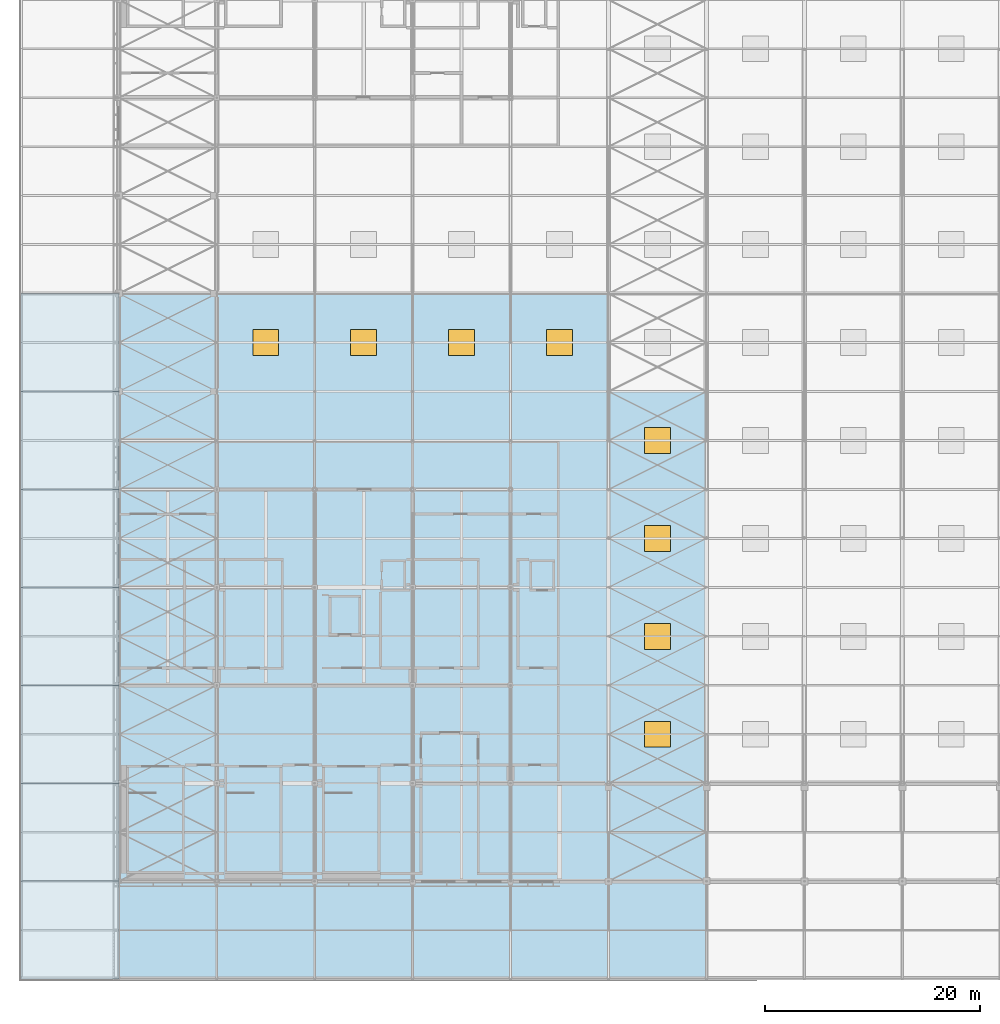
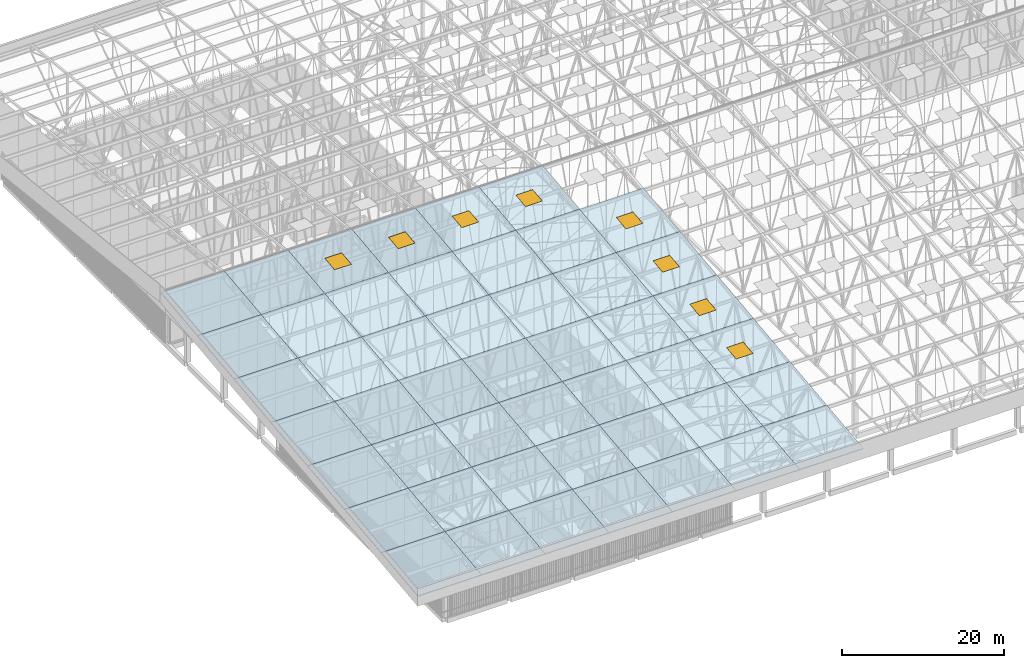
# One storey, part 417 of 500: 48 slabs, 8 windows, 8 openings.
"""IFC4 building model written with IfcOpenShell, lengths in metres."""

from ifc_helpers import new_model, si_unit, direction, frame, origin, origin_2d, place, context, subcontext, project, spatial, polyline, rectangle, outline, extrude, material, layer, layer_set, type_object, element, fill, save


model = new_model("IFC4")

# Units and contexts
model_context = context("Model", 3, precision=1e-05, world=origin(), true_north=direction((0.0, 1.0)))
body_context = subcontext(model_context, "Body", "Model", "MODEL_VIEW")
ifc_project = project(units=[si_unit("LENGTHUNIT", "METRE"), si_unit("AREAUNIT", "SQUARE_METRE"), si_unit("VOLUMEUNIT", "CUBIC_METRE"), si_unit("PLANEANGLEUNIT", "RADIAN"), si_unit("MASSUNIT", "GRAM", prefix="KILO")], contexts=[model_context])

# Site, building, storey
site_placement = place(None, origin())
site = spatial("IfcSite", under=ifc_project, at=site_placement, CompositionType="ELEMENT")
building_placement = place(site_placement, origin())
building = spatial("IfcBuilding", under=site, at=building_placement, Name="Shirokan Park Arena", CompositionType="ELEMENT")
storey_placement = place(building_placement, frame((0.0, 0.0, 29.1201171875)))
storey = spatial("IfcBuildingStorey", under=building, at=storey_placement, Name="L06", CompositionType="ELEMENT", Elevation=29.1201171875)

# Slabs
ifc_material_1 = material(Name="Concrete C30 precast", Category="concrete")
ifc_layer = layer(ifc_material_1, 0.1201171875)
ifc_layer_set = layer_set([ifc_layer], Name="Concrete C30 precast 120 mm")
slab_type = type_object("IfcSlabType", Name="Roof deck panel 120", PredefinedType="ROOF", material=ifc_layer_set)
for number, where, z_axis, x_axis, name in (
    (1, (-9.10009765625, -9.10009765625, 11.83056640625), (0.0, -0.113549598152, 0.993532328996), (1.0, 0.0, 0.0), "Roof deck panel 1-1"),
    (2, (-9.10009765625, 0.0, 12.87060546875), (0.0, -0.113549598152, 0.993532328996), (1.0, 0.0, 0.0), "Roof deck panel 1-2"),
):
    element("IfcSlab", number, at=place(storey_placement, frame(where, z_axis=z_axis, x_axis=x_axis)), inside=storey, type_object=slab_type, Name=name, PredefinedType="ROOF", context=body_context, shape_type="SweptSolid", body=[
        extrude(outline(polyline([(0.0, 0.0), (9.10009765625, 0.0), (9.10009765625, 9.15933723611117), (0.0, 9.15933723611117), (0.0, 0.0)])), origin(), (0.0, 0.0, -1.0), 0.1201171875),
    ])
slab_1_placement = place(storey_placement, frame((-9.10009765625, 9.10009765625, 13.91064453125), z_axis=(0.0, -0.113552605302, 0.993531985308), x_axis=(1.0, 0.0, 0.0)))
element("IfcSlab", 3, at=slab_1_placement, inside=storey, type_object=slab_type, Name="Roof deck panel 1-3", PredefinedType="ROOF", context=body_context, shape_type="SweptSolid", body=[
    extrude(outline(polyline([(0.0, 0.0), (9.10009765625, 0.0), (9.10009765625, 9.159094674549367), (0.0, 9.159094674549367), (0.0, 0.0)])), origin(), (0.0, 0.0, -1.0), 0.1201171875),
])
slab_2_placement = place(storey_placement, frame((-9.10009765625, 18.199951171875, 14.95068359375), z_axis=(0.0, -0.113549598152, 0.993532328996), x_axis=(1.0, 0.0, 0.0)))
element("IfcSlab", 4, at=slab_2_placement, inside=storey, type_object=slab_type, Name="Roof deck panel 1-4", PredefinedType="ROOF", context=body_context, shape_type="SweptSolid", body=[
    extrude(outline(polyline([(0.0, 0.0), (9.10009765625, 0.0), (9.10009765625, 9.15933723611117), (0.0, 9.15933723611117), (0.0, 0.0)])), origin(), (0.0, 0.0, -1.0), 0.1201171875),
])
slab_3_placement = place(storey_placement, frame((-9.10009765625, 27.300048828125, 15.99072265625), z_axis=(0.0, -0.113552605302, 0.993531985308), x_axis=(1.0, 0.0, 0.0)))
element("IfcSlab", 5, at=slab_3_placement, inside=storey, type_object=slab_type, Name="Roof deck panel 1-5", PredefinedType="ROOF", context=body_context, shape_type="SweptSolid", body=[
    extrude(outline(polyline([(0.0, 0.0), (9.10009765625, 0.0), (9.10009765625, 9.159094674549367), (0.0, 9.159094674549367), (0.0, 0.0)])), origin(), (0.0, 0.0, -1.0), 0.1201171875),
])
slab_4_placement = place(storey_placement, frame((-9.10009765625, 36.39990234375, 17.03076171875), z_axis=(0.0, -0.113523286872, 0.993535335727), x_axis=(1.0, 0.0, 0.0)))
element("IfcSlab", 6, at=slab_4_placement, inside=storey, type_object=slab_type, Name="Roof deck panel 1-6", PredefinedType="ROOF", context=body_context, shape_type="SweptSolid", body=[
    extrude(outline(polyline([(0.0, 0.0), (9.10009765625, 0.0), (9.10009765625, 9.159309517253131), (0.0, 9.159309517253131), (0.0, 0.0)])), origin(), (0.0, 0.0, -1.0), 0.1201171875),
])
for number, where, z_axis, x_axis, name in (
    (7, (-9.10009765625, 45.5, 18.070556640625), (0.0, -0.113549598152, 0.993532328996), (1.0, 0.0, 0.0), "Roof deck panel 1-7"),
    (8, (0.0, -9.10009765625, 11.83056640625), (0.0, -0.113549598152, 0.993532328996), (1.0, 0.0, 0.0), "Roof deck panel 2-1"),
    (9, (0.0, 0.0, 12.87060546875), (0.0, -0.113549598152, 0.993532328996), (1.0, 0.0, 0.0), "Roof deck panel 2-2"),
):
    element("IfcSlab", number, at=place(storey_placement, frame(where, z_axis=z_axis, x_axis=x_axis)), inside=storey, type_object=slab_type, Name=name, PredefinedType="ROOF", context=body_context, shape_type="SweptSolid", body=[
        extrude(outline(polyline([(0.0, 0.0), (9.10009765625, 0.0), (9.10009765625, 9.15933723611117), (0.0, 9.15933723611117), (0.0, 0.0)])), origin(), (0.0, 0.0, -1.0), 0.1201171875),
    ])
slab_5_placement = place(storey_placement, frame((0.0, 9.10009765625, 13.91064453125), z_axis=(0.0, -0.113552605302, 0.993531985308), x_axis=(1.0, 0.0, 0.0)))
element("IfcSlab", 10, at=slab_5_placement, inside=storey, type_object=slab_type, Name="Roof deck panel 2-3", PredefinedType="ROOF", context=body_context, shape_type="SweptSolid", body=[
    extrude(outline(polyline([(0.0, 0.0), (9.10009765625, 0.0), (9.10009765625, 9.159094674549367), (0.0, 9.159094674549367), (0.0, 0.0)])), origin(), (0.0, 0.0, -1.0), 0.1201171875),
])
slab_6_placement = place(storey_placement, frame((0.0, 18.199951171875, 14.95068359375), z_axis=(0.0, -0.113549598152, 0.993532328996), x_axis=(1.0, 0.0, 0.0)))
element("IfcSlab", 11, at=slab_6_placement, inside=storey, type_object=slab_type, Name="Roof deck panel 2-4", PredefinedType="ROOF", context=body_context, shape_type="SweptSolid", body=[
    extrude(outline(polyline([(0.0, 0.0), (9.10009765625, 0.0), (9.10009765625, 9.15933723611117), (0.0, 9.15933723611117), (0.0, 0.0)])), origin(), (0.0, 0.0, -1.0), 0.1201171875),
])
slab_7_placement = place(storey_placement, frame((0.0, 27.300048828125, 15.99072265625), z_axis=(0.0, -0.113552605302, 0.993531985308), x_axis=(1.0, 0.0, 0.0)))
element("IfcSlab", 12, at=slab_7_placement, inside=storey, type_object=slab_type, Name="Roof deck panel 2-5", PredefinedType="ROOF", context=body_context, shape_type="SweptSolid", body=[
    extrude(outline(polyline([(0.0, 0.0), (9.10009765625, 0.0), (9.10009765625, 9.159094674549367), (0.0, 9.159094674549367), (0.0, 0.0)])), origin(), (0.0, 0.0, -1.0), 0.1201171875),
])
slab_8_placement = place(storey_placement, frame((0.0, 36.39990234375, 17.03076171875), z_axis=(0.0, -0.113523286872, 0.993535335727), x_axis=(1.0, 0.0, 0.0)))
element("IfcSlab", 13, at=slab_8_placement, inside=storey, type_object=slab_type, Name="Roof deck panel 2-6", PredefinedType="ROOF", context=body_context, shape_type="SweptSolid", body=[
    extrude(outline(polyline([(0.0, 0.0), (9.10009765625, 0.0), (9.10009765625, 9.159309517253131), (0.0, 9.159309517253131), (0.0, 0.0)])), origin(), (0.0, 0.0, -1.0), 0.1201171875),
])
slab_9_placement = place(storey_placement, frame((0.0, 45.5, 18.070556640625), z_axis=(0.0, -0.113549598152, 0.993532328996), x_axis=(1.0, 0.0, 0.0)))
element("IfcSlab", 14, at=slab_9_placement, inside=storey, type_object=slab_type, Name="Roof deck panel 2-7", PredefinedType="ROOF", context=body_context, shape_type="SweptSolid", body=[
    extrude(outline(polyline([(0.0, 0.0), (9.10009765625, 0.0), (9.10009765625, 9.15933723611117), (0.0, 9.15933723611117), (0.0, 0.0)])), origin(), (0.0, 0.0, -1.0), 0.1201171875),
])
for number, where, z_axis, x_axis, name in (
    (15, (9.10009765625, -9.10009765625, 11.83056640625), (0.0, -0.113549598152, 0.993532328996), (1.0, 0.0, 0.0), "Roof deck panel 3-1"),
    (16, (9.10009765625, 0.0, 12.87060546875), (0.0, -0.113549598152, 0.993532328996), (1.0, 0.0, 0.0), "Roof deck panel 3-2"),
):
    element("IfcSlab", number, at=place(storey_placement, frame(where, z_axis=z_axis, x_axis=x_axis)), inside=storey, type_object=slab_type, Name=name, PredefinedType="ROOF", context=body_context, shape_type="SweptSolid", body=[
        extrude(outline(polyline([(0.0, 0.0), (9.099853515625, 0.0), (9.099853515625, 9.15933723611117), (0.0, 9.15933723611117), (0.0, 0.0)])), origin(), (0.0, 0.0, -1.0), 0.1201171875),
    ])
slab_10_placement = place(storey_placement, frame((9.10009765625, 9.10009765625, 13.91064453125), z_axis=(0.0, -0.113552605302, 0.993531985308), x_axis=(1.0, 0.0, 0.0)))
element("IfcSlab", 17, at=slab_10_placement, inside=storey, type_object=slab_type, Name="Roof deck panel 3-3", PredefinedType="ROOF", context=body_context, shape_type="SweptSolid", body=[
    extrude(outline(polyline([(0.0, 0.0), (9.099853515625, 0.0), (9.099853515625, 9.159094674549365), (0.0, 9.159094674549365), (0.0, 0.0)])), origin(), (0.0, 0.0, -1.0), 0.1201171875),
])
slab_11_placement = place(storey_placement, frame((9.10009765625, 18.199951171875, 14.95068359375), z_axis=(0.0, -0.113549598152, 0.993532328996), x_axis=(1.0, 0.0, 0.0)))
element("IfcSlab", 18, at=slab_11_placement, inside=storey, type_object=slab_type, Name="Roof deck panel 3-4", PredefinedType="ROOF", context=body_context, shape_type="SweptSolid", body=[
    extrude(outline(polyline([(0.0, 0.0), (9.099853515625, 0.0), (9.099853515625, 9.15933723611117), (0.0, 9.15933723611117), (0.0, 0.0)])), origin(), (0.0, 0.0, -1.0), 0.1201171875),
])
slab_12_placement = place(storey_placement, frame((9.10009765625, 27.300048828125, 15.99072265625), z_axis=(0.0, -0.113552605302, 0.993531985308), x_axis=(1.0, 0.0, 0.0)))
element("IfcSlab", 19, at=slab_12_placement, inside=storey, type_object=slab_type, Name="Roof deck panel 3-5", PredefinedType="ROOF", context=body_context, shape_type="SweptSolid", body=[
    extrude(outline(polyline([(0.0, 0.0), (9.099853515625, 0.0), (9.099853515625, 9.159094674549365), (0.0, 9.159094674549365), (0.0, 0.0)])), origin(), (0.0, 0.0, -1.0), 0.1201171875),
])
slab_13_placement = place(storey_placement, frame((9.10009765625, 36.39990234375, 17.03076171875), z_axis=(0.0, -0.113523286872, 0.993535335727), x_axis=(1.0, 0.0, 0.0)))
element("IfcSlab", 20, at=slab_13_placement, inside=storey, type_object=slab_type, Name="Roof deck panel 3-6", PredefinedType="ROOF", context=body_context, shape_type="SweptSolid", body=[
    extrude(outline(polyline([(0.0, 0.0), (9.099853515625, 0.0), (9.099853515625, 9.159309517253131), (0.0, 9.159309517253131), (0.0, 0.0)])), origin(), (0.0, 0.0, -1.0), 0.1201171875),
])

# Slab, opening, window
slab_14_placement = place(storey_placement, frame((9.10009765625, 45.5, 18.070556640625), z_axis=(0.0, -0.113549598152, 0.993532328996), x_axis=(1.0, 0.0, 0.0)))
slab_14 = element("IfcSlab", 21, at=slab_14_placement, inside=storey, type_object=slab_type, Name="Roof deck panel 3-7", PredefinedType="ROOF", context=body_context, shape_type="SweptSolid", body=[
    extrude(outline(polyline([(0.0, 0.0), (9.099853515625, 0.0), (9.099853515625, 9.15933723611117), (0.0, 9.15933723611117), (0.0, 0.0)]), holes=[polyline([(3.349853515625, 3.3719262543893525), (5.75, 3.3719262543893525), (5.75, 5.787438703791679), (3.349853515625, 5.787438703791679), (3.349853515625, 3.3719262543893525)])]), origin(), (0.0, 0.0, -1.0), 0.1201171875),
])
opening_1_placement = place(slab_14_placement, frame((4.5498046875, 4.57958984375, 0.010009765625)))
opening_1 = element("IfcOpeningElement", 22, at=opening_1_placement, cuts=slab_14, Name="Opening RL1", PredefinedType="OPENING", context=body_context, shape_type="SweptSolid", body=[
    extrude(rectangle(XDim=2.39990234375, YDim=2.4155251658253154, at=origin_2d()), origin(), (0.0, 0.0, -1.0), 0.139892578125),
])
ifc_material_2 = material(Name="Aluminium frame with laminated glass", Category="aluminium")
window_type = type_object("IfcWindowType", Name="Roof light 2400x2400", PartitioningType="SINGLE_PANEL", PredefinedType="SKYLIGHT", material=ifc_material_2)
window_1_placement = place(opening_1_placement, frame((0.0, 0.0, -0.06005859375)))
window_1 = element("IfcWindow", 23, at=window_1_placement, inside=storey, type_object=window_type, Name="Roof light 03-07", OverallHeight=2.4155251658253154, OverallWidth=2.39990234375, PartitioningType="SINGLE_PANEL", PredefinedType="SKYLIGHT", context=body_context, shape_type="SweptSolid", body=[
    extrude(rectangle(XDim=2.39990234375, YDim=2.4155251658253154, at=origin_2d()), origin(), (0.0, 0.0, 1.0), 0.050048828125),
])
fill(opening_1, window_1)

# Slabs
for number, where, z_axis, x_axis, name in (
    (24, (18.199951171875, -9.10009765625, 11.83056640625), (0.0, -0.113549598152, 0.993532328996), (1.0, 0.0, 0.0), "Roof deck panel 4-1"),
    (25, (18.199951171875, 0.0, 12.87060546875), (0.0, -0.113549598152, 0.993532328996), (1.0, 0.0, 0.0), "Roof deck panel 4-2"),
):
    element("IfcSlab", number, at=place(storey_placement, frame(where, z_axis=z_axis, x_axis=x_axis)), inside=storey, type_object=slab_type, Name=name, PredefinedType="ROOF", context=body_context, shape_type="SweptSolid", body=[
        extrude(outline(polyline([(0.0, 0.0), (9.10009765625, 0.0), (9.10009765625, 9.15933723611117), (0.0, 9.15933723611117), (0.0, 0.0)])), origin(), (0.0, 0.0, -1.0), 0.1201171875),
    ])
slab_15_placement = place(storey_placement, frame((18.199951171875, 9.10009765625, 13.91064453125), z_axis=(0.0, -0.113552605302, 0.993531985308), x_axis=(1.0, 0.0, 0.0)))
element("IfcSlab", 26, at=slab_15_placement, inside=storey, type_object=slab_type, Name="Roof deck panel 4-3", PredefinedType="ROOF", context=body_context, shape_type="SweptSolid", body=[
    extrude(outline(polyline([(0.0, 0.0), (9.10009765625, 0.0), (9.10009765625, 9.159094674549367), (0.0, 9.159094674549367), (0.0, 0.0)])), origin(), (0.0, 0.0, -1.0), 0.1201171875),
])
slab_16_placement = place(storey_placement, frame((18.199951171875, 18.199951171875, 14.95068359375), z_axis=(0.0, -0.113549598152, 0.993532328996), x_axis=(1.0, 0.0, 0.0)))
element("IfcSlab", 27, at=slab_16_placement, inside=storey, type_object=slab_type, Name="Roof deck panel 4-4", PredefinedType="ROOF", context=body_context, shape_type="SweptSolid", body=[
    extrude(outline(polyline([(0.0, 0.0), (9.10009765625, 0.0), (9.10009765625, 9.15933723611117), (0.0, 9.15933723611117), (0.0, 0.0)])), origin(), (0.0, 0.0, -1.0), 0.1201171875),
])
slab_17_placement = place(storey_placement, frame((18.199951171875, 27.300048828125, 15.99072265625), z_axis=(0.0, -0.113552605302, 0.993531985308), x_axis=(1.0, 0.0, 0.0)))
element("IfcSlab", 28, at=slab_17_placement, inside=storey, type_object=slab_type, Name="Roof deck panel 4-5", PredefinedType="ROOF", context=body_context, shape_type="SweptSolid", body=[
    extrude(outline(polyline([(0.0, 0.0), (9.10009765625, 0.0), (9.10009765625, 9.159094674549367), (0.0, 9.159094674549367), (0.0, 0.0)])), origin(), (0.0, 0.0, -1.0), 0.1201171875),
])
slab_18_placement = place(storey_placement, frame((18.199951171875, 36.39990234375, 17.03076171875), z_axis=(0.0, -0.113523286872, 0.993535335727), x_axis=(1.0, 0.0, 0.0)))
element("IfcSlab", 29, at=slab_18_placement, inside=storey, type_object=slab_type, Name="Roof deck panel 4-6", PredefinedType="ROOF", context=body_context, shape_type="SweptSolid", body=[
    extrude(outline(polyline([(0.0, 0.0), (9.10009765625, 0.0), (9.10009765625, 9.159309517253131), (0.0, 9.159309517253131), (0.0, 0.0)])), origin(), (0.0, 0.0, -1.0), 0.1201171875),
])

# Slab, opening, window
slab_19_placement = place(storey_placement, frame((18.199951171875, 45.5, 18.070556640625), z_axis=(0.0, -0.113549598152, 0.993532328996), x_axis=(1.0, 0.0, 0.0)))
slab_19 = element("IfcSlab", 30, at=slab_19_placement, inside=storey, type_object=slab_type, Name="Roof deck panel 4-7", PredefinedType="ROOF", context=body_context, shape_type="SweptSolid", body=[
    extrude(outline(polyline([(0.0, 0.0), (9.10009765625, 0.0), (9.10009765625, 9.15933723611117), (0.0, 9.15933723611117), (0.0, 0.0)]), holes=[polyline([(3.35009765625, 3.371926254389353), (5.75, 3.371926254389353), (5.75, 5.78743870379168), (3.35009765625, 5.78743870379168), (3.35009765625, 3.371926254389353)])]), origin(), (0.0, 0.0, -1.0), 0.1201171875),
])
opening_2_placement = place(slab_19_placement, frame((4.550048828125, 4.57958984375, 0.010009765625)))
opening_2 = element("IfcOpeningElement", 31, at=opening_2_placement, cuts=slab_19, Name="Opening RL1", PredefinedType="OPENING", context=body_context, shape_type="SweptSolid", body=[
    extrude(rectangle(XDim=2.39990234375, YDim=2.4155251658253154, at=origin_2d()), origin(), (0.0, 0.0, -1.0), 0.139892578125),
])
window_2_placement = place(opening_2_placement, frame((0.0, 0.0, -0.06005859375)))
window_2 = element("IfcWindow", 32, at=window_2_placement, inside=storey, type_object=window_type, Name="Roof light 04-07", OverallHeight=2.4155251658253154, OverallWidth=2.39990234375, PartitioningType="SINGLE_PANEL", PredefinedType="SKYLIGHT", context=body_context, shape_type="SweptSolid", body=[
    extrude(rectangle(XDim=2.39990234375, YDim=2.4155251658253154, at=origin_2d()), origin(), (0.0, 0.0, 1.0), 0.050048828125),
])
fill(opening_2, window_2)

# Slabs
for number, where, z_axis, x_axis, name in (
    (33, (27.300048828125, -9.10009765625, 11.83056640625), (0.0, -0.113549598152, 0.993532328996), (1.0, 0.0, 0.0), "Roof deck panel 5-1"),
    (34, (27.300048828125, 0.0, 12.87060546875), (0.0, -0.113549598152, 0.993532328996), (1.0, 0.0, 0.0), "Roof deck panel 5-2"),
):
    element("IfcSlab", number, at=place(storey_placement, frame(where, z_axis=z_axis, x_axis=x_axis)), inside=storey, type_object=slab_type, Name=name, PredefinedType="ROOF", context=body_context, shape_type="SweptSolid", body=[
        extrude(outline(polyline([(0.0, 0.0), (9.099853515625, 0.0), (9.099853515625, 9.15933723611117), (0.0, 9.15933723611117), (0.0, 0.0)])), origin(), (0.0, 0.0, -1.0), 0.1201171875),
    ])
slab_20_placement = place(storey_placement, frame((27.300048828125, 9.10009765625, 13.91064453125), z_axis=(0.0, -0.113552605302, 0.993531985308), x_axis=(1.0, 0.0, 0.0)))
element("IfcSlab", 35, at=slab_20_placement, inside=storey, type_object=slab_type, Name="Roof deck panel 5-3", PredefinedType="ROOF", context=body_context, shape_type="SweptSolid", body=[
    extrude(outline(polyline([(0.0, 0.0), (9.099853515625, 0.0), (9.099853515625, 9.159094674549365), (0.0, 9.159094674549365), (0.0, 0.0)])), origin(), (0.0, 0.0, -1.0), 0.1201171875),
])
slab_21_placement = place(storey_placement, frame((27.300048828125, 18.199951171875, 14.95068359375), z_axis=(0.0, -0.113549598152, 0.993532328996), x_axis=(1.0, 0.0, 0.0)))
element("IfcSlab", 36, at=slab_21_placement, inside=storey, type_object=slab_type, Name="Roof deck panel 5-4", PredefinedType="ROOF", context=body_context, shape_type="SweptSolid", body=[
    extrude(outline(polyline([(0.0, 0.0), (9.099853515625, 0.0), (9.099853515625, 9.15933723611117), (0.0, 9.15933723611117), (0.0, 0.0)])), origin(), (0.0, 0.0, -1.0), 0.1201171875),
])
slab_22_placement = place(storey_placement, frame((27.300048828125, 27.300048828125, 15.99072265625), z_axis=(0.0, -0.113552605302, 0.993531985308), x_axis=(1.0, 0.0, 0.0)))
element("IfcSlab", 37, at=slab_22_placement, inside=storey, type_object=slab_type, Name="Roof deck panel 5-5", PredefinedType="ROOF", context=body_context, shape_type="SweptSolid", body=[
    extrude(outline(polyline([(0.0, 0.0), (9.099853515625, 0.0), (9.099853515625, 9.159094674549365), (0.0, 9.159094674549365), (0.0, 0.0)])), origin(), (0.0, 0.0, -1.0), 0.1201171875),
])
slab_23_placement = place(storey_placement, frame((27.300048828125, 36.39990234375, 17.03076171875), z_axis=(0.0, -0.113523286872, 0.993535335727), x_axis=(1.0, 0.0, 0.0)))
element("IfcSlab", 38, at=slab_23_placement, inside=storey, type_object=slab_type, Name="Roof deck panel 5-6", PredefinedType="ROOF", context=body_context, shape_type="SweptSolid", body=[
    extrude(outline(polyline([(0.0, 0.0), (9.099853515625, 0.0), (9.099853515625, 9.159309517253131), (0.0, 9.159309517253131), (0.0, 0.0)])), origin(), (0.0, 0.0, -1.0), 0.1201171875),
])

# Slab, opening, window
slab_24_placement = place(storey_placement, frame((27.300048828125, 45.5, 18.070556640625), z_axis=(0.0, -0.113549598152, 0.993532328996), x_axis=(1.0, 0.0, 0.0)))
slab_24 = element("IfcSlab", 39, at=slab_24_placement, inside=storey, type_object=slab_type, Name="Roof deck panel 5-7", PredefinedType="ROOF", context=body_context, shape_type="SweptSolid", body=[
    extrude(outline(polyline([(0.0, 0.0), (9.099853515625, 0.0), (9.099853515625, 9.15933723611117), (0.0, 9.15933723611117), (0.0, 0.0)]), holes=[polyline([(3.349853515625, 3.3719262543893525), (5.75, 3.3719262543893525), (5.75, 5.787438703791679), (3.349853515625, 5.787438703791679), (3.349853515625, 3.3719262543893525)])]), origin(), (0.0, 0.0, -1.0), 0.1201171875),
])
opening_3_placement = place(slab_24_placement, frame((4.550048828125, 4.57958984375, 0.010009765625)))
opening_3 = element("IfcOpeningElement", 40, at=opening_3_placement, cuts=slab_24, Name="Opening RL1", PredefinedType="OPENING", context=body_context, shape_type="SweptSolid", body=[
    extrude(rectangle(XDim=2.39990234375, YDim=2.4155251658253154, at=origin_2d()), origin(), (0.0, 0.0, -1.0), 0.139892578125),
])
window_3_placement = place(opening_3_placement, frame((0.0, 0.0, -0.06005859375)))
window_3 = element("IfcWindow", 41, at=window_3_placement, inside=storey, type_object=window_type, Name="Roof light 05-07", OverallHeight=2.4155251658253154, OverallWidth=2.39990234375, PartitioningType="SINGLE_PANEL", PredefinedType="SKYLIGHT", context=body_context, shape_type="SweptSolid", body=[
    extrude(rectangle(XDim=2.39990234375, YDim=2.4155251658253154, at=origin_2d()), origin(), (0.0, 0.0, 1.0), 0.050048828125),
])
fill(opening_3, window_3)

# Slabs
for number, where, z_axis, x_axis, name in (
    (42, (36.39990234375, -9.10009765625, 11.83056640625), (0.0, -0.113549598152, 0.993532328996), (1.0, 0.0, 0.0), "Roof deck panel 6-1"),
    (43, (36.39990234375, 0.0, 12.87060546875), (0.0, -0.113549598152, 0.993532328996), (1.0, 0.0, 0.0), "Roof deck panel 6-2"),
):
    element("IfcSlab", number, at=place(storey_placement, frame(where, z_axis=z_axis, x_axis=x_axis)), inside=storey, type_object=slab_type, Name=name, PredefinedType="ROOF", context=body_context, shape_type="SweptSolid", body=[
        extrude(outline(polyline([(0.0, 0.0), (9.10009765625, 0.0), (9.10009765625, 9.15933723611117), (0.0, 9.15933723611117), (0.0, 0.0)])), origin(), (0.0, 0.0, -1.0), 0.1201171875),
    ])
slab_25_placement = place(storey_placement, frame((36.39990234375, 9.10009765625, 13.91064453125), z_axis=(0.0, -0.113552605302, 0.993531985308), x_axis=(1.0, 0.0, 0.0)))
element("IfcSlab", 44, at=slab_25_placement, inside=storey, type_object=slab_type, Name="Roof deck panel 6-3", PredefinedType="ROOF", context=body_context, shape_type="SweptSolid", body=[
    extrude(outline(polyline([(0.0, 0.0), (9.10009765625, 0.0), (9.10009765625, 9.159094674549367), (0.0, 9.159094674549367), (0.0, 0.0)])), origin(), (0.0, 0.0, -1.0), 0.1201171875),
])
slab_26_placement = place(storey_placement, frame((36.39990234375, 18.199951171875, 14.95068359375), z_axis=(0.0, -0.113549598152, 0.993532328996), x_axis=(1.0, 0.0, 0.0)))
element("IfcSlab", 45, at=slab_26_placement, inside=storey, type_object=slab_type, Name="Roof deck panel 6-4", PredefinedType="ROOF", context=body_context, shape_type="SweptSolid", body=[
    extrude(outline(polyline([(0.0, 0.0), (9.10009765625, 0.0), (9.10009765625, 9.15933723611117), (0.0, 9.15933723611117), (0.0, 0.0)])), origin(), (0.0, 0.0, -1.0), 0.1201171875),
])
slab_27_placement = place(storey_placement, frame((36.39990234375, 27.300048828125, 15.99072265625), z_axis=(0.0, -0.113552605302, 0.993531985308), x_axis=(1.0, 0.0, 0.0)))
element("IfcSlab", 46, at=slab_27_placement, inside=storey, type_object=slab_type, Name="Roof deck panel 6-5", PredefinedType="ROOF", context=body_context, shape_type="SweptSolid", body=[
    extrude(outline(polyline([(0.0, 0.0), (9.10009765625, 0.0), (9.10009765625, 9.159094674549367), (0.0, 9.159094674549367), (0.0, 0.0)])), origin(), (0.0, 0.0, -1.0), 0.1201171875),
])
slab_28_placement = place(storey_placement, frame((36.39990234375, 36.39990234375, 17.03076171875), z_axis=(0.0, -0.113523286872, 0.993535335727), x_axis=(1.0, 0.0, 0.0)))
element("IfcSlab", 47, at=slab_28_placement, inside=storey, type_object=slab_type, Name="Roof deck panel 6-6", PredefinedType="ROOF", context=body_context, shape_type="SweptSolid", body=[
    extrude(outline(polyline([(0.0, 0.0), (9.10009765625, 0.0), (9.10009765625, 9.159309517253131), (0.0, 9.159309517253131), (0.0, 0.0)])), origin(), (0.0, 0.0, -1.0), 0.1201171875),
])

# Slab, opening, window
slab_29_placement = place(storey_placement, frame((36.39990234375, 45.5, 18.070556640625), z_axis=(0.0, -0.113549598152, 0.993532328996), x_axis=(1.0, 0.0, 0.0)))
slab_29 = element("IfcSlab", 48, at=slab_29_placement, inside=storey, type_object=slab_type, Name="Roof deck panel 6-7", PredefinedType="ROOF", context=body_context, shape_type="SweptSolid", body=[
    extrude(outline(polyline([(0.0, 0.0), (9.10009765625, 0.0), (9.10009765625, 9.15933723611117), (0.0, 9.15933723611117), (0.0, 0.0)]), holes=[polyline([(3.35009765625, 3.371926254389353), (5.75, 3.371926254389353), (5.75, 5.78743870379168), (3.35009765625, 5.78743870379168), (3.35009765625, 3.371926254389353)])]), origin(), (0.0, 0.0, -1.0), 0.1201171875),
])
opening_4_placement = place(slab_29_placement, frame((4.550048828125, 4.57958984375, 0.010009765625)))
opening_4 = element("IfcOpeningElement", 49, at=opening_4_placement, cuts=slab_29, Name="Opening RL1", PredefinedType="OPENING", context=body_context, shape_type="SweptSolid", body=[
    extrude(rectangle(XDim=2.39990234375, YDim=2.4155251658253154, at=origin_2d()), origin(), (0.0, 0.0, -1.0), 0.139892578125),
])
window_4_placement = place(opening_4_placement, frame((0.0, 0.0, -0.06005859375)))
window_4 = element("IfcWindow", 50, at=window_4_placement, inside=storey, type_object=window_type, Name="Roof light 06-07", OverallHeight=2.4155251658253154, OverallWidth=2.39990234375, PartitioningType="SINGLE_PANEL", PredefinedType="SKYLIGHT", context=body_context, shape_type="SweptSolid", body=[
    extrude(rectangle(XDim=2.39990234375, YDim=2.4155251658253154, at=origin_2d()), origin(), (0.0, 0.0, 1.0), 0.050048828125),
])
fill(opening_4, window_4)

# Slabs
for number, where, z_axis, x_axis, name in (
    (51, (45.5, -9.10009765625, 11.83056640625), (0.0, -0.113549598152, 0.993532328996), (1.0, 0.0, 0.0), "Roof deck panel 7-1"),
    (52, (45.5, 0.0, 12.87060546875), (0.0, -0.113549598152, 0.993532328996), (1.0, 0.0, 0.0), "Roof deck panel 7-2"),
):
    element("IfcSlab", number, at=place(storey_placement, frame(where, z_axis=z_axis, x_axis=x_axis)), inside=storey, type_object=slab_type, Name=name, PredefinedType="ROOF", context=body_context, shape_type="SweptSolid", body=[
        extrude(outline(polyline([(0.0, 0.0), (9.10009765625, 0.0), (9.10009765625, 9.15933723611117), (0.0, 9.15933723611117), (0.0, 0.0)])), origin(), (0.0, 0.0, -1.0), 0.1201171875),
    ])

# Slab, opening, window
slab_30_placement = place(storey_placement, frame((45.5, 9.10009765625, 13.91064453125), z_axis=(0.0, -0.113552605302, 0.993531985308), x_axis=(1.0, 0.0, 0.0)))
slab_30 = element("IfcSlab", 53, at=slab_30_placement, inside=storey, type_object=slab_type, Name="Roof deck panel 7-3", PredefinedType="ROOF", context=body_context, shape_type="SweptSolid", body=[
    extrude(outline(polyline([(0.0, 0.0), (9.10009765625, 0.0), (9.10009765625, 9.159094674549367), (0.0, 9.159094674549367), (0.0, 0.0)]), holes=[polyline([(3.35009765625, 3.3716559705854974), (5.75, 3.3716559705854974), (5.75, 5.787438703963868), (3.35009765625, 5.787438703963868), (3.35009765625, 3.3716559705854974)])]), origin(), (0.0, 0.0, -1.0), 0.1201171875),
])
opening_5_placement = place(slab_30_placement, frame((4.550048828125, 4.579345703125, 0.010009765625)))
opening_5 = element("IfcOpeningElement", 54, at=opening_5_placement, cuts=slab_30, Name="Opening RL1", PredefinedType="OPENING", context=body_context, shape_type="SweptSolid", body=[
    extrude(rectangle(XDim=2.39990234375, YDim=2.4155260014171187, at=origin_2d()), origin(), (0.0, 0.0, -1.0), 0.139892578125),
])
window_5_placement = place(opening_5_placement, frame((0.0, 0.0, -0.06005859375)))
window_5 = element("IfcWindow", 55, at=window_5_placement, inside=storey, type_object=window_type, Name="Roof light 07-03", OverallHeight=2.4155260014171187, OverallWidth=2.39990234375, PartitioningType="SINGLE_PANEL", PredefinedType="SKYLIGHT", context=body_context, shape_type="SweptSolid", body=[
    extrude(rectangle(XDim=2.39990234375, YDim=2.4155260014171187, at=origin_2d()), origin(), (0.0, 0.0, 1.0), 0.050048828125),
])
fill(opening_5, window_5)

slab_31_placement = place(storey_placement, frame((45.5, 18.199951171875, 14.95068359375), z_axis=(0.0, -0.113549598152, 0.993532328996), x_axis=(1.0, 0.0, 0.0)))
slab_31 = element("IfcSlab", 56, at=slab_31_placement, inside=storey, type_object=slab_type, Name="Roof deck panel 7-4", PredefinedType="ROOF", context=body_context, shape_type="SweptSolid", body=[
    extrude(outline(polyline([(0.0, 0.0), (9.10009765625, 0.0), (9.10009765625, 9.15933723611117), (0.0, 9.15933723611117), (0.0, 0.0)]), holes=[polyline([(3.35009765625, 3.3718985323194914), (5.75, 3.3718985323194914), (5.75, 5.78743870379168), (3.35009765625, 5.78743870379168), (3.35009765625, 3.3718985323194914)])]), origin(), (0.0, 0.0, -1.0), 0.1201171875),
])
opening_6_placement = place(slab_31_placement, frame((4.550048828125, 4.57958984375, 0.010009765625)))
opening_6 = element("IfcOpeningElement", 57, at=opening_6_placement, cuts=slab_31, Name="Opening RL1", PredefinedType="OPENING", context=body_context, shape_type="SweptSolid", body=[
    extrude(rectangle(XDim=2.39990234375, YDim=2.4155251658253154, at=origin_2d()), origin(), (0.0, 0.0, -1.0), 0.139892578125),
])
window_6_placement = place(opening_6_placement, frame((0.0, 0.0, -0.06005859375)))
window_6 = element("IfcWindow", 58, at=window_6_placement, inside=storey, type_object=window_type, Name="Roof light 07-04", OverallHeight=2.4155251658253154, OverallWidth=2.39990234375, PartitioningType="SINGLE_PANEL", PredefinedType="SKYLIGHT", context=body_context, shape_type="SweptSolid", body=[
    extrude(rectangle(XDim=2.39990234375, YDim=2.4155251658253154, at=origin_2d()), origin(), (0.0, 0.0, 1.0), 0.050048828125),
])
fill(opening_6, window_6)

slab_32_placement = place(storey_placement, frame((45.5, 27.300048828125, 15.99072265625), z_axis=(0.0, -0.113552605302, 0.993531985308), x_axis=(1.0, 0.0, 0.0)))
slab_32 = element("IfcSlab", 59, at=slab_32_placement, inside=storey, type_object=slab_type, Name="Roof deck panel 7-5", PredefinedType="ROOF", context=body_context, shape_type="SweptSolid", body=[
    extrude(outline(polyline([(0.0, 0.0), (9.10009765625, 0.0), (9.10009765625, 9.159094674549367), (0.0, 9.159094674549367), (0.0, 0.0)]), holes=[polyline([(3.35009765625, 3.3716559705854974), (5.75, 3.3716559705854974), (5.75, 5.78741098115984), (3.35009765625, 5.78741098115984), (3.35009765625, 3.3716559705854974)])]), origin(), (0.0, 0.0, -1.0), 0.1201171875),
])
opening_7_placement = place(slab_32_placement, frame((4.550048828125, 4.57958984375, 0.010009765625)))
opening_7 = element("IfcOpeningElement", 60, at=opening_7_placement, cuts=slab_32, Name="Opening RL1", PredefinedType="OPENING", context=body_context, shape_type="SweptSolid", body=[
    extrude(rectangle(XDim=2.39990234375, YDim=2.4155260014171187, at=origin_2d()), origin(), (0.0, 0.0, -1.0), 0.139892578125),
])
window_7_placement = place(opening_7_placement, frame((0.0, 0.0, -0.06005859375)))
window_7 = element("IfcWindow", 61, at=window_7_placement, inside=storey, type_object=window_type, Name="Roof light 07-05", OverallHeight=2.4155260014171187, OverallWidth=2.39990234375, PartitioningType="SINGLE_PANEL", PredefinedType="SKYLIGHT", context=body_context, shape_type="SweptSolid", body=[
    extrude(rectangle(XDim=2.39990234375, YDim=2.4155260014171187, at=origin_2d()), origin(), (0.0, 0.0, 1.0), 0.050048828125),
])
fill(opening_7, window_7)

slab_33_placement = place(storey_placement, frame((45.5, 36.39990234375, 17.03076171875), z_axis=(0.0, -0.113523286872, 0.993535335727), x_axis=(1.0, 0.0, 0.0)))
slab_33 = element("IfcSlab", 62, at=slab_33_placement, inside=storey, type_object=slab_type, Name="Roof deck panel 7-6", PredefinedType="ROOF", context=body_context, shape_type="SweptSolid", body=[
    extrude(outline(polyline([(0.0, 0.0), (9.10009765625, 0.0), (9.10009765625, 9.159309517253131), (0.0, 9.159309517253131), (0.0, 0.0)]), holes=[polyline([(3.35009765625, 3.371898532875618), (5.75, 3.371898532875618), (5.75, 5.787410984377513), (3.35009765625, 5.787410984377513), (3.35009765625, 3.371898532875618)])]), origin(), (0.0, 0.0, -1.0), 0.1201171875),
])
opening_8_placement = place(slab_33_placement, frame((4.550048828125, 4.57958984375, 0.010009765625)))
opening_8 = element("IfcOpeningElement", 63, at=opening_8_placement, cuts=slab_33, Name="Opening RL1", PredefinedType="OPENING", context=body_context, shape_type="SweptSolid", body=[
    extrude(rectangle(XDim=2.39990234375, YDim=2.4155178557331727, at=origin_2d()), origin(), (0.0, 0.0, -1.0), 0.139892578125),
])
window_8_placement = place(opening_8_placement, frame((0.0, 0.0, -0.06005859375)))
window_8 = element("IfcWindow", 64, at=window_8_placement, inside=storey, type_object=window_type, Name="Roof light 07-06", OverallHeight=2.4155178557331727, OverallWidth=2.39990234375, PartitioningType="SINGLE_PANEL", PredefinedType="SKYLIGHT", context=body_context, shape_type="SweptSolid", body=[
    extrude(rectangle(XDim=2.39990234375, YDim=2.4155178557331727, at=origin_2d()), origin(), (0.0, 0.0, 1.0), 0.050048828125),
])
fill(opening_8, window_8)

save(model, "model.ifc")
